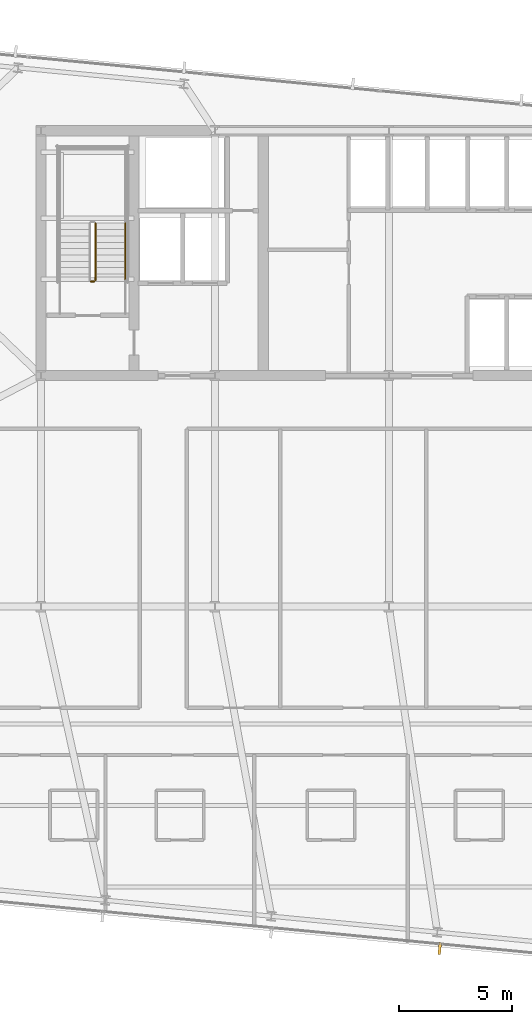
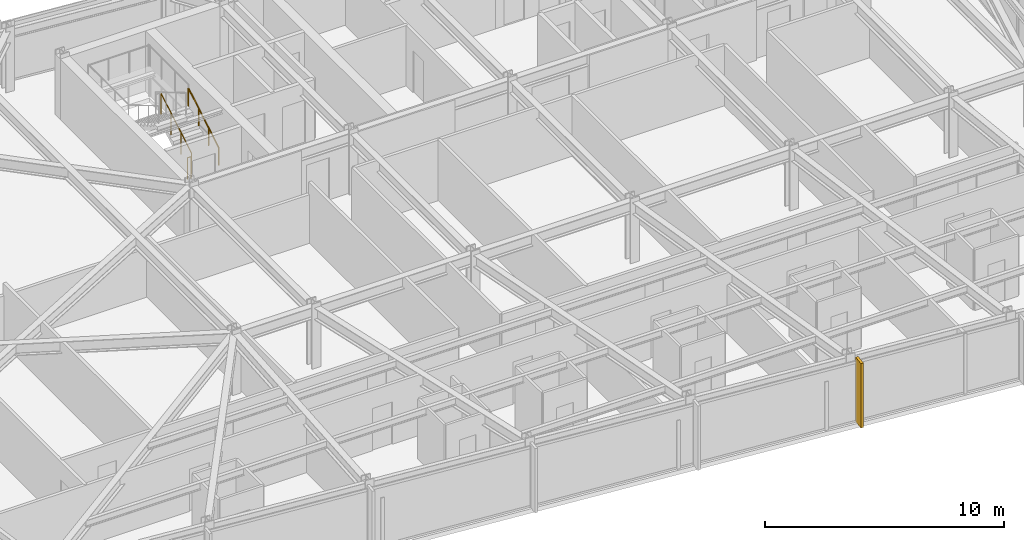
# One storey, part 33 of 36: 3 railings, 1 shading device.
"""IFC4 building model written with IfcOpenShell, lengths in metres."""

from ifc_helpers import new_model, si_unit, direction, frame, origin, origin_2d, place, context, subcontext, project, spatial, rectangle, circle, extrude, material, layer, layer_set, type_object, element, save


model = new_model("IFC4")

# Units and contexts
model_context = context("Model", 3, precision=1e-05, world=origin(), true_north=direction((0.0, 1.0)))
body_context = subcontext(model_context, "Body", "Model", "MODEL_VIEW")
ifc_project = project(units=[si_unit("LENGTHUNIT", "METRE"), si_unit("AREAUNIT", "SQUARE_METRE"), si_unit("VOLUMEUNIT", "CUBIC_METRE"), si_unit("PLANEANGLEUNIT", "RADIAN"), si_unit("MASSUNIT", "GRAM", prefix="KILO")], contexts=[model_context])

# Site, building, storey
site_placement = place(None, origin())
site = spatial("IfcSite", under=ifc_project, at=site_placement, CompositionType="ELEMENT")
building_placement = place(site_placement, origin())
building = spatial("IfcBuilding", under=site, at=building_placement, Name="Yelkora Congress Tower", CompositionType="ELEMENT")
storey_placement = place(building_placement, frame((0.0, 0.0, 152.300048828125)))
storey = spatial("IfcBuildingStorey", under=building, at=storey_placement, Name="L41", CompositionType="ELEMENT", Elevation=152.300048828125)

# Railings
ifc_material_1 = material(Name="Painted galvanised steel stair well guard with vertical infill", Category="steel")
ifc_layer_1 = layer(ifc_material_1, 0.06005859375)
ifc_layer_set_1 = layer_set([ifc_layer_1], Name="Painted galvanised steel stair well guard with vertical infill")
railing_type_1 = type_object("IfcRailingType", Name="RAIL-STAIR-GUARD-1120", PredefinedType="GUARDRAIL", material=ifc_layer_set_1)
railing_1_placement = place(storey_placement, frame((25.449951171875, 39.60009765625, 0.1650390625)))
element("IfcRailing", 1, at=railing_1_placement, inside=storey, type_object=railing_type_1, Name="ST-01 L41 Stair Well Guardrail 1", PredefinedType="GUARDRAIL", context=body_context, shape_type="SweptSolid", body=[
    extrude(circle(Radius=0.02392578125, at=origin_2d()), frame((0.0, 0.0, 1.09619140625), z_axis=(0.0, 0.861560626758, 0.507654692109), x_axis=(-1.0, 0.0, 0.0)), (0.0, 0.0, 1.0), 2.925048828125),
    extrude(circle(Radius=0.02099609375, at=origin_2d()), origin(), (0.0, 0.0, 1.0), 1.072021484375),
    extrude(circle(Radius=0.02099609375, at=origin_2d()), frame((0.0, 0.840087890625, 0.494873046875)), (0.0, 0.0, 1.0), 1.072021484375),
    extrude(circle(Radius=0.02099609375, at=origin_2d()), frame((0.0, 1.679931640625, 0.989990234375)), (0.0, 0.0, 1.0), 1.072021484375),
    extrude(circle(Radius=0.02099609375, at=origin_2d()), frame((0.0, 2.52001953125, 1.48486328125)), (0.0, 0.0, 1.0), 1.072021484375),
])
railing_2_placement = place(storey_placement, frame((25.39990234375, 39.550048828125, 0.0)))
element("IfcRailing", 2, at=railing_2_placement, inside=storey, type_object=railing_type_1, Name="ST-01 L41 Stair Well Guardrail 7", PredefinedType="GUARDRAIL", context=body_context, shape_type="SweptSolid", body=[
    extrude(circle(Radius=0.02392578125, at=origin_2d()), frame((0.0, 0.0, 1.09619140625), z_axis=(-1.0, 0.0, 0.0), x_axis=(0.0, -1.0, 0.0)), (0.0, 0.0, 1.0), 0.159912109375),
    extrude(circle(Radius=0.02099609375, at=origin_2d()), origin(), (0.0, 0.0, 1.0), 1.072021484375),
    extrude(circle(Radius=0.02099609375, at=origin_2d()), frame((-0.159912109375, 0.0, 0.0)), (0.0, 0.0, 1.0), 1.072021484375),
])
ifc_material_2 = material(Name="Brushed stainless steel tubular handrail", Category="steel")
ifc_layer_2 = layer(ifc_material_2, 0.050048828125)
ifc_layer_set_2 = layer_set([ifc_layer_2], Name="Brushed stainless steel tubular handrail")
railing_type_2 = type_object("IfcRailingType", Name="RAIL-STAIR-HAND-920", PredefinedType="HANDRAIL", material=ifc_layer_set_2)
railing_3_placement = place(storey_placement, frame((26.77001953125, 39.60009765625, 0.1650390625)))
element("IfcRailing", 3, at=railing_3_placement, inside=storey, type_object=railing_type_2, Name="ST-01 L41 Pitch Handrail 1", PredefinedType="HANDRAIL", context=body_context, shape_type="SweptSolid", body=[
    extrude(circle(Radius=0.02392578125, at=origin_2d()), frame((0.0, 0.0, 0.89599609375), z_axis=(0.0, 0.861560626758, 0.507654692109), x_axis=(-1.0, 0.0, 0.0)), (0.0, 0.0, 1.0), 2.925048828125),
    extrude(circle(Radius=0.02099609375, at=origin_2d()), origin(), (0.0, 0.0, 1.0), 0.871826171875),
    extrude(circle(Radius=0.02099609375, at=origin_2d()), frame((0.0, 0.840087890625, 0.494873046875)), (0.0, 0.0, 1.0), 0.871826171875),
    extrude(circle(Radius=0.02099609375, at=origin_2d()), frame((0.0, 1.679931640625, 0.989990234375)), (0.0, 0.0, 1.0), 0.871826171875),
    extrude(circle(Radius=0.02099609375, at=origin_2d()), frame((0.0, 2.52001953125, 1.48486328125)), (0.0, 0.0, 1.0), 0.871826171875),
])

# Shading device
ifc_material_3 = material(Name="Champagne anodised aluminium", Category="aluminium")
ifc_layer_3 = layer(ifc_material_3, 3.300048828125)
ifc_layer_set_3 = layer_set([ifc_layer_3], Name="Champagne anodised aluminium")
shading_device_type = type_object("IfcShadingDeviceType", Name="SHD-FIN-ALU-520", PredefinedType="USERDEFINED", material=ifc_layer_set_3)
shading_device_placement = place(storey_placement, frame((40.642333984375, 10.10791015625, -0.0302734375), z_axis=(0.0, 0.0, 1.0), x_axis=(-0.995396198367, 0.09584575252, 0.0)))
element("IfcShadingDevice", 4, at=shading_device_placement, inside=storey, type_object=shading_device_type, Name="L41 Vertical Anodised Solar Fin 20-2", ObjectType="FIN", PredefinedType="USERDEFINED", context=body_context, shape_type="SweptSolid", body=[
    extrude(rectangle(XDim=0.1201171875, YDim=0.52001953125, at=origin_2d()), origin(), (0.0, 0.0, 1.0), 3.280029296875),
])

save(model, "model.ifc")
